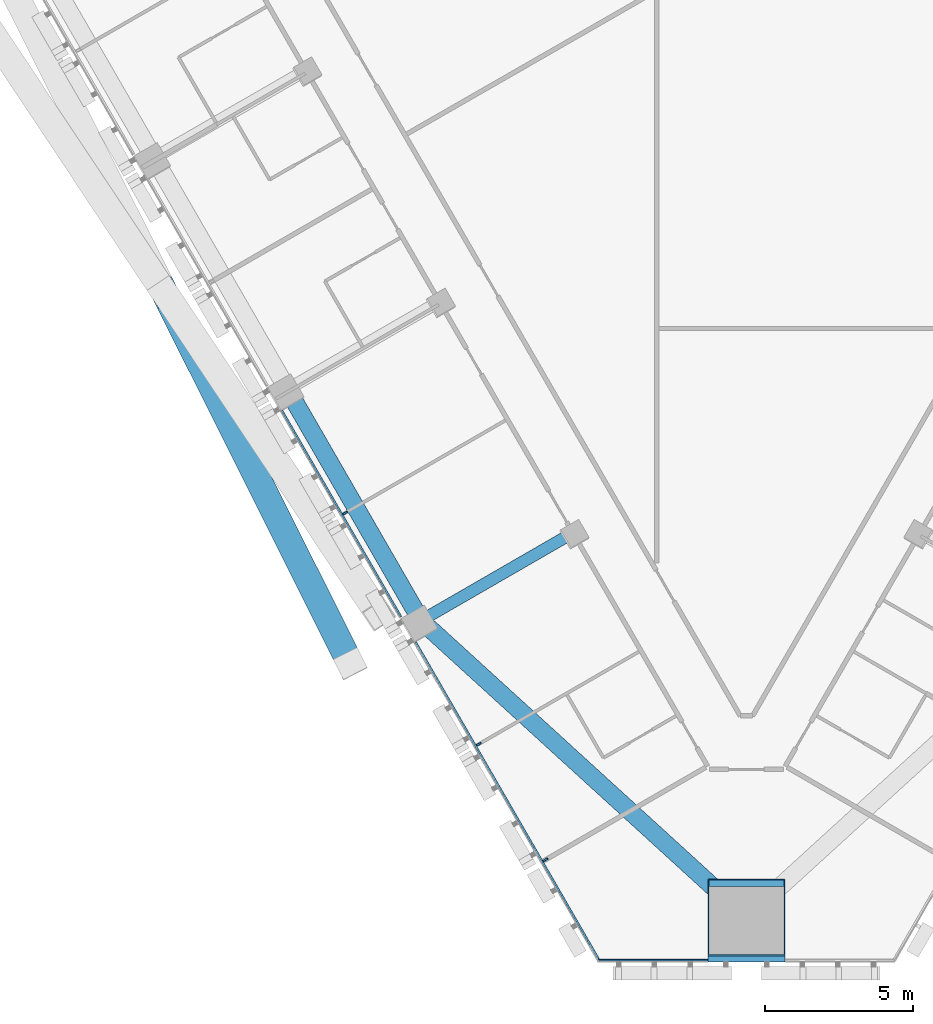
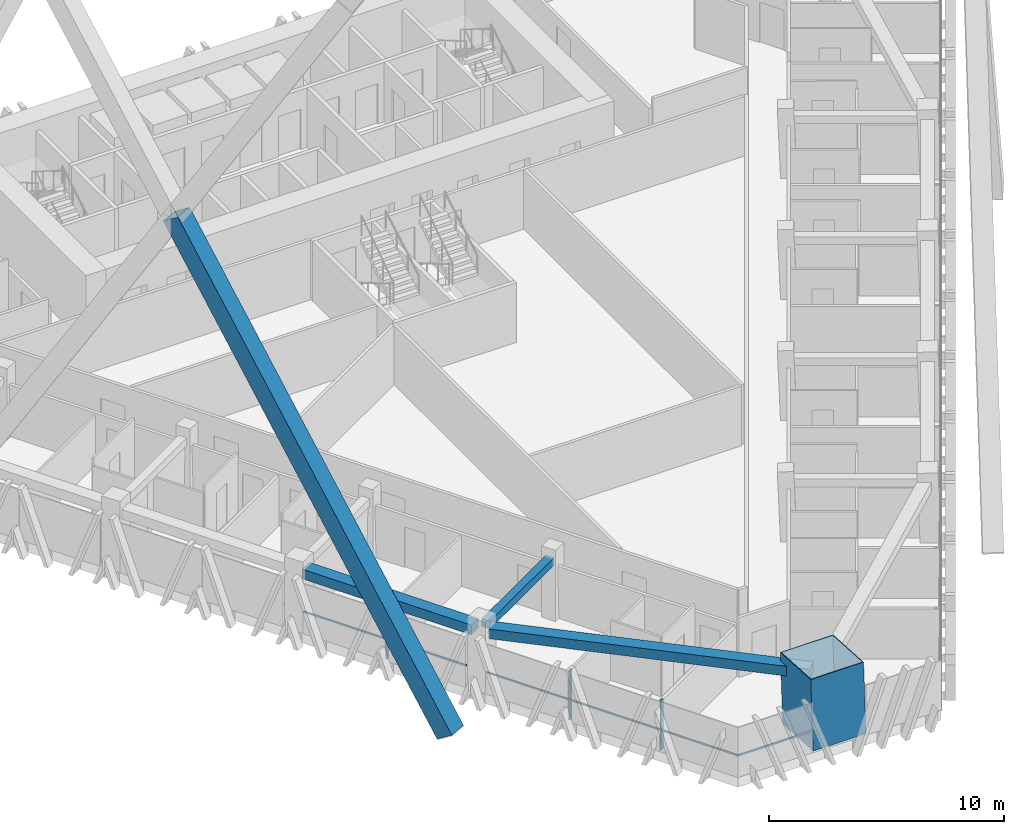
# One storey, part 2 of 24: 8 members, 3 beams, 2 elements without a shape of their own.
"""IFC4 building model written with IfcOpenShell, lengths in metres."""

import ifcopenshell
import ifcopenshell.guid

model = None  # the IFC model being written
_history = None  # IfcOwnerHistory: only IFC2X3 demands one
_inside = {}  # id of a spatial element -> (the spatial element, [elements in it])
_under = {}  # id of a project, library or spatial element -> (it, [spatial elements below it])
_declared = {}  # id of a project -> (the project, [libraries it declares])
_typed = {}  # id of a type object -> (the type object, [elements of that type])
_made_of = {}  # id of a material, layer set ... -> (it, [elements and type objects made of it])


def new_model(schema):
    """Start an empty IFC model of exactly this schema.

    Asked for "IFC4X3", IfcOpenShell would pick the latest addendum, in which some entities
    have other attributes; the version numbers below select the first issue.
    IFC2X3 requires an IfcOwnerHistory on every rooted entity: one is made here for all.
    """
    global model, _history
    if schema == "IFC4X3":
        model = ifcopenshell.file(schema_version=(4, 3, 0, 0))
    else:
        model = ifcopenshell.file(schema=schema)
    _inside.clear()
    _under.clear()
    _declared.clear()
    _typed.clear()
    _made_of.clear()
    _history = None
    if model.schema == "IFC2X3":
        org = make("IfcOrganization", Name="unknown")
        user = make(
            "IfcPersonAndOrganization",
            ThePerson=make("IfcPerson", FamilyName="unknown"),
            TheOrganization=org,
        )
        app = make(
            "IfcApplication",
            ApplicationDeveloper=org,
            Version="unknown",
            ApplicationFullName="unknown",
            ApplicationIdentifier="unknown",
        )
        _history = make(
            "IfcOwnerHistory",
            OwningUser=user,
            OwningApplication=app,
            ChangeAction="ADDED",
            CreationDate=0,
        )
    return model


def make(cls, **values):
    """One entity of the class cls with the attributes given. An attribute that is None is left unset."""
    return model.create_entity(
        cls, **{name: value for name, value in values.items() if value is not None}
    )


def rooted(cls, **values):
    """An entity with a GlobalId (a new one), such as an element, a storey or a relation."""
    return make(cls, GlobalId=ifcopenshell.guid.new(), OwnerHistory=_history, **values)


def si_unit(unit_type, name, prefix=None):
    """IfcSIUnit, for example si_unit("LENGTHUNIT", "METRE", prefix="MILLI")."""
    return make("IfcSIUnit", UnitType=unit_type, Prefix=prefix, Name=name)


def assignment(units):
    """IfcUnitAssignment: the units of a project."""
    return None if units is None else make("IfcUnitAssignment", Units=units)


def point(xyz):
    """IfcCartesianPoint."""
    return None if xyz is None else make("IfcCartesianPoint", Coordinates=xyz)


def direction(xyz):
    """IfcDirection."""
    return None if xyz is None else make("IfcDirection", DirectionRatios=xyz)


def frame(location, z_axis=None, x_axis=None):
    """IfcAxis2Placement3D, a coordinate frame: its origin and axes. An axis left out is left unset."""
    return make(
        "IfcAxis2Placement3D",
        Location=point(location),
        Axis=direction(z_axis),
        RefDirection=direction(x_axis),
    )


def frame_2d(location, x_axis=None):
    """IfcAxis2Placement2D, a coordinate frame in the plane: its origin and x axis."""
    return make(
        "IfcAxis2Placement2D", Location=point(location), RefDirection=direction(x_axis)
    )


def origin():
    """The frame at (0, 0, 0) with its axes left unset."""
    return frame((0.0, 0.0, 0.0))


def origin_2d():
    """The frame at (0, 0) in the plane with its x axis left unset."""
    return frame_2d((0.0, 0.0))


def place(relative_to, where):
    """IfcLocalPlacement: puts the frame where relative to a parent placement (None: the world)."""
    return make(
        "IfcLocalPlacement", PlacementRelTo=relative_to, RelativePlacement=where
    )


def context(
    kind, dimensions, precision=None, world=None, true_north=None, identifier=None
):
    """IfcGeometricRepresentationContext, for example the 3D "Model" context."""
    return make(
        "IfcGeometricRepresentationContext",
        ContextIdentifier=identifier,
        ContextType=kind,
        CoordinateSpaceDimension=dimensions,
        Precision=precision,
        WorldCoordinateSystem=world,
        TrueNorth=true_north,
    )


def subcontext(parent, identifier, kind, view, scale=None):
    """IfcGeometricRepresentationSubContext, for example "Body" below "Model"."""
    return make(
        "IfcGeometricRepresentationSubContext",
        ContextIdentifier=identifier,
        ContextType=kind,
        ParentContext=parent,
        TargetScale=scale,
        TargetView=view,
    )


def project(units=None, contexts=None):
    """IfcProject with its units and contexts."""
    return rooted(
        "IfcProject",
        Name="project",
        RepresentationContexts=contexts,
        UnitsInContext=assignment(units),
    )


def spatial(cls, under=None, at=None, **own):
    """A site, building, storey or space (cls), placed at a placement, below another one or the project."""
    s = rooted(cls, ObjectPlacement=at, **own)
    if under is not None:
        _under.setdefault(under.id(), (under, []))[1].append(s)
    return s


def profile(cls, at=None, kind="AREA", **sizes):
    """A parametric profile (cls). Its sizes go by their IFC names, for example OverallWidth=200.0."""
    return make(cls, ProfileType=kind, Position=at, **sizes)


def rectangle(**sizes):
    """IfcRectangleProfileDef."""
    return profile("IfcRectangleProfileDef", **sizes)


def hollow_rectangle(**sizes):
    """IfcRectangleHollowProfileDef."""
    return profile("IfcRectangleHollowProfileDef", **sizes)


def extrude(swept, where, along, depth):
    """IfcExtrudedAreaSolid: the profile swept, set in the frame where, extruded along a direction by depth."""
    return make(
        "IfcExtrudedAreaSolid",
        SweptArea=swept,
        Position=where,
        ExtrudedDirection=direction(along),
        Depth=depth,
    )


def shape(context_of_items, identifier, shape_type, items):
    """IfcShapeRepresentation: the items that make up one representation, for example the "Body"."""
    return make(
        "IfcShapeRepresentation",
        ContextOfItems=context_of_items,
        RepresentationIdentifier=identifier,
        RepresentationType=shape_type,
        Items=items,
    )


def material(Name=None, Category=None):
    """IfcMaterial."""
    return make("IfcMaterial", Name=Name, Category=Category)


def layer(
    of_material, thickness, ventilated=None, Name=None, Category=None, Priority=None
):
    """IfcMaterialLayer: one layer of a wall or slab, of a material (None: an air gap)."""
    return make(
        "IfcMaterialLayer",
        Material=of_material,
        LayerThickness=thickness,
        IsVentilated=ventilated,
        Name=Name,
        Category=Category,
        Priority=Priority,
    )


def layer_set(layers, Name=None):
    """IfcMaterialLayerSet."""
    return make("IfcMaterialLayerSet", MaterialLayers=layers, LayerSetName=Name)


def material_profile(
    of_material, cross_section, Name=None, Category=None, Priority=None
):
    """IfcMaterialProfile: a cross section and its material."""
    return make(
        "IfcMaterialProfile",
        Name=Name,
        Material=of_material,
        Profile=cross_section,
        Priority=Priority,
        Category=Category,
    )


def profile_set(profiles, Name=None, composite=None):
    """IfcMaterialProfileSet."""
    return make(
        "IfcMaterialProfileSet",
        Name=Name,
        MaterialProfiles=profiles,
        CompositeProfile=composite,
    )


def made_of(thing, what):
    """Note that an element or type object is made of a material, layer set ...; save() writes the relation."""
    if what is not None:
        _made_of.setdefault(what.id(), (what, []))[1].append(thing)
    return thing


def type_object(cls, material=None, **own):
    """A type object (cls), such as IfcWallType, which elements share."""
    return made_of(rooted(cls, **own), material)


def element(
    cls,
    number,
    at=None,
    inside=None,
    cuts=None,
    type_object=None,
    material=None,
    context=None,
    identifier="Body",
    shape_type=None,
    held_by="IfcProductDefinitionShape",
    body=None,
    shapes=None,
    **own,
):
    """One element of the class cls, such as IfcWall. Its Tag is "e" and its number.

    at: its placement. inside: the storey or other place that contains it. cuts: it is an
    opening in that element (IfcRelVoidsElement). A single representation is given by context,
    identifier, shape_type and body (its items); several are given by shapes. held_by: the class
    of the entity that holds the representations. save() writes the other relations.
    """
    e = rooted(cls, Tag="e%d" % number, ObjectPlacement=at, **own)
    if body is not None:
        shapes = [shape(context, identifier, shape_type, body)]
    if shapes is not None:
        e.Representation = make(held_by, Representations=shapes)
    if inside is not None:
        _inside.setdefault(inside.id(), (inside, []))[1].append(e)
    if cuts is not None:
        rooted(
            "IfcRelVoidsElement", RelatingBuildingElement=cuts, RelatedOpeningElement=e
        )
    if type_object is not None:
        _typed.setdefault(type_object.id(), (type_object, []))[1].append(e)
    return made_of(e, material)


def aggregate(whole, parts):
    """IfcRelAggregates: a whole, such as a stair, and the parts it consists of."""
    return rooted("IfcRelAggregates", RelatingObject=whole, RelatedObjects=parts)


def save(model, path):
    """Write the relations noted so far, then the file.

    IfcRelAggregates (storeys below a building ...), IfcRelContainedInSpatialStructure (elements
    in a storey), IfcRelDefinesByType, IfcRelAssociatesMaterial and IfcRelDeclares: one each for
    every whole, place, type object, material and project.
    """
    for whole, parts in _under.values():
        aggregate(whole, parts)
    for where, things in _inside.values():
        rooted(
            "IfcRelContainedInSpatialStructure",
            RelatedElements=things,
            RelatingStructure=where,
        )
    for kind, things in _typed.values():
        rooted("IfcRelDefinesByType", RelatedObjects=things, RelatingType=kind)
    for what, things in _made_of.values():
        rooted("IfcRelAssociatesMaterial", RelatedObjects=things, RelatingMaterial=what)
    for by, libraries in _declared.values():
        rooted("IfcRelDeclares", RelatingContext=by, RelatedDefinitions=libraries)
    model.write(path)


model = new_model("IFC4")

# Units and contexts
model_context = context("Model", 3, precision=1e-05, world=origin(), true_north=direction((0.0, 1.0)))
body_context = subcontext(model_context, "Body", "Model", "MODEL_VIEW")
ifc_project = project(units=[si_unit("LENGTHUNIT", "METRE"), si_unit("AREAUNIT", "SQUARE_METRE"), si_unit("VOLUMEUNIT", "CUBIC_METRE"), si_unit("PLANEANGLEUNIT", "RADIAN"), si_unit("MASSUNIT", "GRAM", prefix="KILO")], contexts=[model_context])

# Site, building, storey
site_placement = place(None, origin())
site = spatial("IfcSite", under=ifc_project, at=site_placement, CompositionType="ELEMENT")
building_placement = place(site_placement, origin())
building = spatial("IfcBuilding", under=site, at=building_placement, Name="Altiplano Prism Tower", CompositionType="ELEMENT")
storey_placement = place(building_placement, frame((0.0, 0.0, 27.0)))
storey = spatial("IfcBuildingStorey", under=building, at=storey_placement, Name="L05", CompositionType="ELEMENT", Elevation=27.0)

# Curtain wall, members
ifc_material_1 = material(Name="Aluminium and glass", Category="aluminium")
ifc_layer = layer(ifc_material_1, 0.280029296875)
ifc_layer_set = layer_set([ifc_layer], Name="Aluminium and glass")
curtain_wall_type = type_object("IfcCurtainWallType", Name="CW1 typical co-living unitised curtain wall", PredefinedType="NOTDEFINED", material=ifc_layer_set)
curtain_wall_1_placement = place(storey_placement, origin())
curtain_wall_1 = element("IfcCurtainWall", 1, at=curtain_wall_1_placement, inside=storey, type_object=curtain_wall_type, Name="CW1 curtain wall south-west face L05", PredefinedType="NOTDEFINED")
ifc_material_2 = material(Name="Aluminium", Category="aluminium")
ifc_material_profile_1 = material_profile(ifc_material_2, rectangle(XDim=0.179931640625, YDim=0.06494140625, at=origin_2d()), Name="CW1 mullion 65 x 180")
ifc_profile_set_1 = profile_set([ifc_material_profile_1], Name="Aluminium")
member_type_1 = type_object("IfcMemberType", Name="CW1 mullion 65 x 180", PredefinedType="MULLION", material=ifc_profile_set_1)
member_1_placement = place(storey_placement, frame((71.47802734375, 65.80078125, 0.0), z_axis=(0.0, 0.0, 1.0), x_axis=(0.866025403802, 0.49999999997, 0.0)))
member_1 = element("IfcMember", 2, at=member_1_placement, type_object=member_type_1, Name="CW1 mullion", PredefinedType="MULLION", context=body_context, shape_type="SweptSolid", body=[
    extrude(rectangle(XDim=0.179931640625, YDim=0.06494140625, at=origin_2d()), origin(), (0.0, 0.0, 1.0), 2.60009765625),
])
member_2_placement = place(storey_placement, frame((75.97802734375, 58.006591796875, 0.0), z_axis=(0.0, 0.0, 1.0), x_axis=(0.866025403802, 0.49999999997, 0.0)))
member_2 = element("IfcMember", 3, at=member_2_placement, type_object=member_type_1, Name="CW1 mullion", PredefinedType="MULLION", context=body_context, shape_type="SweptSolid", body=[
    extrude(rectangle(XDim=0.179931640625, YDim=0.06494140625, at=origin_2d()), origin(), (0.0, 0.0, 1.0), 2.60009765625),
])
member_3_placement = place(storey_placement, frame((78.22802734375, 54.109375, 0.0), z_axis=(0.0, 0.0, 1.0), x_axis=(0.866025403802, 0.49999999997, 0.0)))
member_3 = element("IfcMember", 4, at=member_3_placement, type_object=member_type_1, Name="CW1 mullion", PredefinedType="MULLION", context=body_context, shape_type="SweptSolid", body=[
    extrude(rectangle(XDim=0.179931640625, YDim=0.06494140625, at=origin_2d()), origin(), (0.0, 0.0, 1.0), 2.60009765625),
])
ifc_material_profile_2 = material_profile(ifc_material_2, rectangle(XDim=0.06005859375, YDim=0.080078125, at=origin_2d()), Name="CW1 transom 80 x 60")
ifc_profile_set_2 = profile_set([ifc_material_profile_2], Name="Aluminium")
member_type_2 = type_object("IfcMemberType", Name="CW1 transom 80 x 60", PredefinedType="USERDEFINED", material=ifc_profile_set_2)
member_4_placement = place(storey_placement, frame((69.349365234375, 69.24755859375, 1.10009765625), z_axis=(0.500012318566, -0.86601829154, 0.0), x_axis=(0.86601829154, 0.500012318566, 0.0)))
member_4 = element("IfcMember", 5, at=member_4_placement, type_object=member_type_2, Name="CW1 transom", ObjectType="TRANSOM", PredefinedType="USERDEFINED", context=body_context, shape_type="SweptSolid", body=[
    extrude(rectangle(XDim=0.06005859375, YDim=0.080078125, at=origin_2d()), origin(), (0.0, 0.0, 1.0), 8.019775390625),
])
member_5_placement = place(storey_placement, frame((73.849365234375, 61.453369140625, 1.10009765625), z_axis=(0.500000890122, -0.866024889872, 0.0), x_axis=(0.866024889872, 0.500000890122, 0.0)))
member_5 = element("IfcMember", 6, at=member_5_placement, type_object=member_type_2, Name="CW1 transom", ObjectType="TRANSOM", PredefinedType="USERDEFINED", context=body_context, shape_type="SweptSolid", body=[
    extrude(rectangle(XDim=0.06005859375, YDim=0.080078125, at=origin_2d()), origin(), (0.0, 0.0, 1.0), 12.42236328125),
])
aggregate(curtain_wall_1, [member_1, member_4, member_2, member_3, member_5])

# Curtain wall, member
curtain_wall_2_placement = place(storey_placement, origin())
curtain_wall_2 = element("IfcCurtainWall", 7, at=curtain_wall_2_placement, inside=storey, type_object=curtain_wall_type, Name="CW1 curtain wall south chamfer L05", PredefinedType="NOTDEFINED")
member_6_placement = place(storey_placement, frame((80.0, 50.730224609375, 1.10009765625), z_axis=(1.0, 0.0, 0.0), x_axis=(0.0, 1.0, 0.0)))
member_6 = element("IfcMember", 8, at=member_6_placement, type_object=member_type_2, Name="CW1 transom", ObjectType="TRANSOM", PredefinedType="USERDEFINED", context=body_context, shape_type="SweptSolid", body=[
    extrude(rectangle(XDim=0.06005859375, YDim=0.080078125, at=origin_2d()), origin(), (0.0, 0.0, 1.0), 3.699951171875),
])
aggregate(curtain_wall_2, [member_6])

# Beams
ifc_material_3 = material(Name="Concrete C60/75", Category="concrete")
ifc_material_profile_3 = material_profile(ifc_material_3, rectangle(XDim=0.60009765625, YDim=0.5, at=origin_2d()), Name="Edge beam 600x500")
ifc_profile_set_3 = profile_set([ifc_material_profile_3], Name="Concrete C60/75")
beam_type_1 = type_object("IfcBeamType", Name="Edge beam 600x500", PredefinedType="SPANDREL", material=ifc_profile_set_3)
beam_1_placement = place(storey_placement, frame((69.6982421875, 69.6806640625, 2.85009765625), z_axis=(0.499992746786, -0.866029591389, 0.0), x_axis=(0.866029591389, 0.499992746786, 0.0)))
element("IfcBeam", 9, at=beam_1_placement, inside=storey, type_object=beam_type_1, Name="Edge beam P13-P14 L06", PredefinedType="SPANDREL", context=body_context, shape_type="SweptSolid", body=[
    extrude(rectangle(XDim=0.60009765625, YDim=0.5, at=origin_2d()), origin(), (0.0, 0.0, 1.0), 8.33984375),
])
beam_2_placement = place(storey_placement, frame((74.29345703125, 61.934814453125, 2.85009765625), z_axis=(0.738875376437, -0.673842101753, 0.0), x_axis=(0.673842101753, 0.738875376437, 0.0)))
element("IfcBeam", 10, at=beam_2_placement, inside=storey, type_object=beam_type_1, Name="Edge beam P14-M1 L06", PredefinedType="SPANDREL", context=body_context, shape_type="SweptSolid", body=[
    extrude(rectangle(XDim=0.60009765625, YDim=0.5, at=origin_2d()), origin(), (0.0, 0.0, 1.0), 14.040283203125),
])

# Members
ifc_material_4 = material(Name="Steel S355", Category="steel")
ifc_material_profile_4 = material_profile(ifc_material_4, hollow_rectangle(XDim=0.89990234375, YDim=0.89990234375, WallThickness=0.0400390625, at=origin_2d()), Name="Mega brace Box 900x900x40")
ifc_profile_set_4 = profile_set([ifc_material_profile_4], Name="Steel S355")
member_type_3 = type_object("IfcMemberType", Name="Mega brace Box 900x900x40", PredefinedType="BRACE", material=ifc_profile_set_4)
member_7_placement = place(storey_placement, frame((71.6484375, 60.72802734375, -0.81640625), z_axis=(-0.243563831713, 0.486453260802, 0.839070846196), x_axis=(-0.894179121509, -0.447709390853, 0.0)))
element("IfcMember", 11, at=member_7_placement, inside=storey, type_object=member_type_3, Name="Mega brace 1.1.3", PredefinedType="BRACE", context=body_context, shape_type="SweptSolid", body=[
    extrude(hollow_rectangle(XDim=0.89990234375, YDim=0.89990234375, WallThickness=0.0400390625, at=origin_2d()), origin(), (0.0, 0.0, 1.0), 25.70263671875),
])
ifc_material_5 = material(Name="Steel S460", Category="steel")
ifc_material_profile_5 = material_profile(ifc_material_5, hollow_rectangle(XDim=2.60009765625, YDim=2.60009765625, WallThickness=0.0400390625, at=origin_2d()), Name="Mega column tube 2600")
ifc_profile_set_5 = profile_set([ifc_material_profile_5], Name="Steel S460")
member_type_4 = type_object("IfcMemberType", Name="Mega column tube 2600", PredefinedType="POST", material=ifc_profile_set_5)
member_8_placement = place(storey_placement, frame((85.0, 51.960205078125, 0.0), z_axis=(0.0, 0.058356907999, 0.998295783467), x_axis=(-1.0, 0.0, 0.0)))
element("IfcMember", 12, at=member_8_placement, inside=storey, type_object=member_type_4, Name="Mega column tube M1 L05", PredefinedType="POST", context=body_context, shape_type="SweptSolid", body=[
    extrude(hollow_rectangle(XDim=2.60009765625, YDim=2.60009765625, WallThickness=0.0400390625, at=origin_2d()), origin(), (0.0, 0.0, 1.0), 3.606201171875),
])

# Beam
ifc_material_profile_6 = material_profile(ifc_material_3, rectangle(XDim=0.39990234375, YDim=0.39990234375, at=origin_2d()), Name="Tie beam 400x400")
ifc_profile_set_6 = profile_set([ifc_material_profile_6], Name="Concrete C60/75")
beam_type_2 = type_object("IfcBeamType", Name="Tie beam 400x400", PredefinedType="BEAM", material=ifc_profile_set_6)
beam_3_placement = place(storey_placement, frame((79.073486328125, 65.082275390625, 2.89990234375), z_axis=(-0.866023410697, -0.500003452112, 0.0), x_axis=(0.500003452112, -0.866023410697, 0.0)))
element("IfcBeam", 13, at=beam_3_placement, inside=storey, type_object=beam_type_2, Name="Tie beam I14 L06", PredefinedType="BEAM", context=body_context, shape_type="SweptSolid", body=[
    extrude(rectangle(XDim=0.39990234375, YDim=0.39990234375, at=origin_2d()), origin(), (0.0, 0.0, 1.0), 5.490234375),
])

save(model, "model.ifc")
